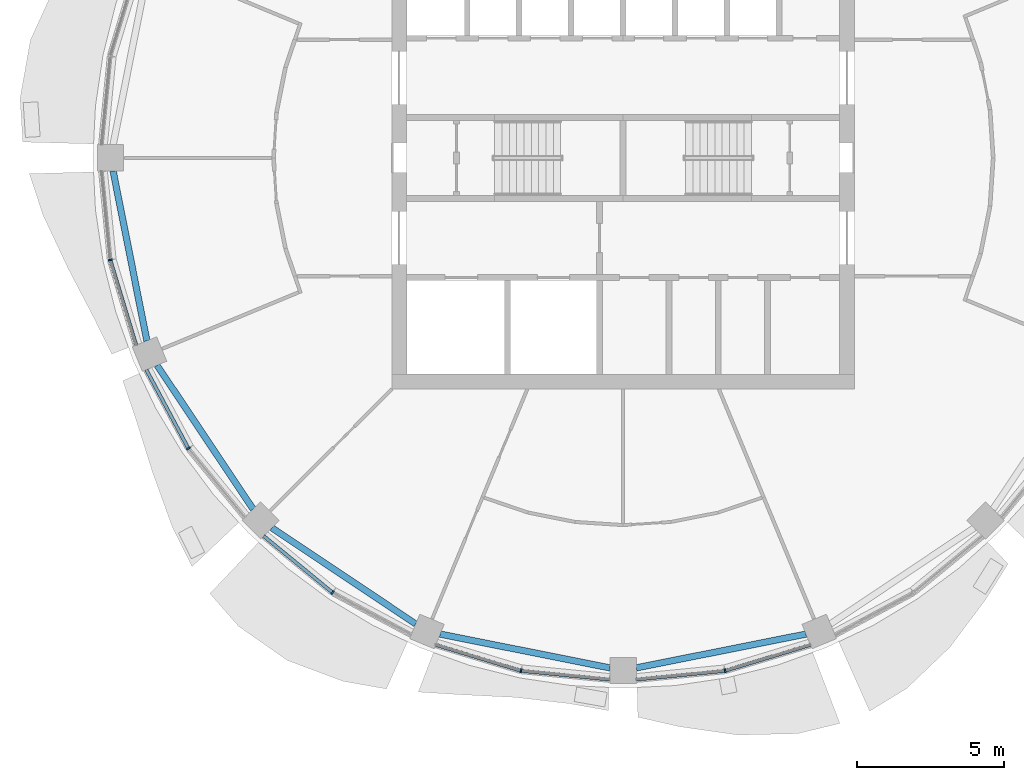
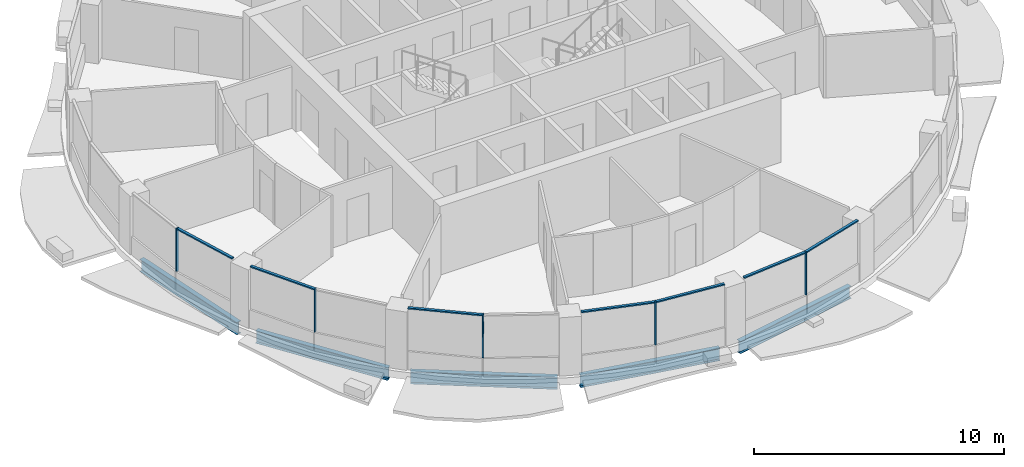
# One storey, part 2 of 15: 12 members, 5 beams, 5 elements without a shape of their own.
"""IFC4 building model written with IfcOpenShell, lengths in metres."""

from ifc_helpers import new_model, si_unit, direction, frame, origin, origin_2d, place, context, subcontext, project, spatial, rectangle, i_section, extrude, material, material_profile, profile_set, type_object, element, aggregate, save


model = new_model("IFC4")

# Units and contexts
model_context = context("Model", 3, precision=1e-05, world=origin(), true_north=direction((0.0, 1.0)))
body_context = subcontext(model_context, "Body", "Model", "MODEL_VIEW")
ifc_project = project(units=[si_unit("LENGTHUNIT", "METRE"), si_unit("AREAUNIT", "SQUARE_METRE"), si_unit("VOLUMEUNIT", "CUBIC_METRE"), si_unit("PLANEANGLEUNIT", "RADIAN"), si_unit("MASSUNIT", "GRAM", prefix="KILO")], contexts=[model_context])

# Site, building, storey
site_placement = place(None, origin())
site = spatial("IfcSite", under=ifc_project, at=site_placement, CompositionType="ELEMENT")
building_placement = place(site_placement, origin())
building = spatial("IfcBuilding", under=site, at=building_placement, Name="Polderwave Tower", CompositionType="ELEMENT")
storey_placement = place(building_placement, frame((0.0, 0.0, 191.0)))
storey = spatial("IfcBuildingStorey", under=building, at=storey_placement, Name="L51", CompositionType="ELEMENT", Elevation=191.0)

# Curtain wall, member
ifc_material_1 = material(Name="Aluminium 6063-T6 and glass", Category="aluminium")
curtain_wall_type = type_object("IfcCurtainWallType", Name="Office ribbon glazing wall", PredefinedType="NOTDEFINED", material=ifc_material_1)
curtain_wall_1_placement = place(storey_placement, origin())
curtain_wall_1 = element("IfcCurtainWall", 1, at=curtain_wall_1_placement, inside=storey, type_object=curtain_wall_type, Name="CW3 L51 08", PredefinedType="NOTDEFINED")
ifc_material_2 = material(Name="Aluminium 6063-T6", Category="aluminium")
ifc_material_profile_1 = material_profile(ifc_material_2, rectangle(XDim=0.139892578125, YDim=0.054931640625, at=origin_2d()), Name="AL 55x140")
ifc_profile_set_1 = profile_set([ifc_material_profile_1], Name="Aluminium 6063-T6")
member_type_1 = type_object("IfcMemberType", Name="Office ribbon glazing mullion 55x140", PredefinedType="MULLION", material=ifc_profile_set_1)
member_1_placement = place(storey_placement, frame((-17.4580078125, -3.472900390625, 0.89990234375), z_axis=(0.0, 0.0, 1.0), x_axis=(0.980762460409, 0.195205010829, 0.0)))
member_1 = element("IfcMember", 2, at=member_1_placement, type_object=member_type_1, Name="CW3 mullion 1", PredefinedType="MULLION", context=body_context, shape_type="SweptSolid", body=[
    extrude(rectangle(XDim=0.139892578125, YDim=0.054931640625, at=origin_2d()), origin(), (0.0, 0.0, 1.0), 2.10009765625),
])

curtain_wall_2_placement = place(storey_placement, origin())
curtain_wall_2 = element("IfcCurtainWall", 3, at=curtain_wall_2_placement, inside=storey, type_object=curtain_wall_type, Name="CW3 L51 09", PredefinedType="NOTDEFINED")
member_2_placement = place(storey_placement, frame((-14.800048828125, -9.888916015625, 0.89990234375), z_axis=(0.0, 0.0, 1.0), x_axis=(0.831419186923, 0.55564569252, 0.0)))
member_2 = element("IfcMember", 4, at=member_2_placement, type_object=member_type_1, Name="CW3 mullion 1", PredefinedType="MULLION", context=body_context, shape_type="SweptSolid", body=[
    extrude(rectangle(XDim=0.139892578125, YDim=0.054931640625, at=origin_2d()), origin(), (0.0, 0.0, 1.0), 2.10009765625),
])

curtain_wall_3_placement = place(storey_placement, origin())
curtain_wall_3 = element("IfcCurtainWall", 5, at=curtain_wall_3_placement, inside=storey, type_object=curtain_wall_type, Name="CW3 L51 10", PredefinedType="NOTDEFINED")
member_3_placement = place(storey_placement, frame((-9.888916015625, -14.800048828125, 0.89990234375), z_axis=(0.0, 0.0, 1.0), x_axis=(0.55564569252, 0.831419186923, 0.0)))
member_3 = element("IfcMember", 6, at=member_3_placement, type_object=member_type_1, Name="CW3 mullion 1", PredefinedType="MULLION", context=body_context, shape_type="SweptSolid", body=[
    extrude(rectangle(XDim=0.139892578125, YDim=0.054931640625, at=origin_2d()), origin(), (0.0, 0.0, 1.0), 2.10009765625),
])

curtain_wall_4_placement = place(storey_placement, origin())
curtain_wall_4 = element("IfcCurtainWall", 7, at=curtain_wall_4_placement, inside=storey, type_object=curtain_wall_type, Name="CW3 L51 11", PredefinedType="NOTDEFINED")
member_4_placement = place(storey_placement, frame((-3.472900390625, -17.4580078125, 0.89990234375), z_axis=(0.0, 0.0, 1.0), x_axis=(0.195205010829, 0.980762460409, 0.0)))
member_4 = element("IfcMember", 8, at=member_4_placement, type_object=member_type_1, Name="CW3 mullion 1", PredefinedType="MULLION", context=body_context, shape_type="SweptSolid", body=[
    extrude(rectangle(XDim=0.139892578125, YDim=0.054931640625, at=origin_2d()), origin(), (0.0, 0.0, 1.0), 2.10009765625),
])

curtain_wall_5_placement = place(storey_placement, origin())
curtain_wall_5 = element("IfcCurtainWall", 9, at=curtain_wall_5_placement, inside=storey, type_object=curtain_wall_type, Name="CW3 L51 12", PredefinedType="NOTDEFINED")
member_5_placement = place(storey_placement, frame((3.472900390625, -17.4580078125, 0.89990234375), z_axis=(0.0, 0.0, 1.0), x_axis=(-0.195205010829, 0.980762460409, 0.0)))
member_5 = element("IfcMember", 10, at=member_5_placement, type_object=member_type_1, Name="CW3 mullion 1", PredefinedType="MULLION", context=body_context, shape_type="SweptSolid", body=[
    extrude(rectangle(XDim=0.139892578125, YDim=0.054931640625, at=origin_2d()), origin(), (0.0, 0.0, 1.0), 2.10009765625),
])

# Member
ifc_material_profile_2 = material_profile(ifc_material_2, rectangle(XDim=0.1201171875, YDim=0.06005859375, at=origin_2d()), Name="AL 60x120")
ifc_profile_set_2 = profile_set([ifc_material_profile_2], Name="Aluminium 6063-T6")
member_type_2 = type_object("IfcMemberType", Name="Office ribbon glazing transom 60x120", PredefinedType="USERDEFINED", material=ifc_profile_set_2)
member_6_placement = place(storey_placement, frame((-17.449951171875, -3.499267578125, 2.969970703125), z_axis=(0.290435177237, -0.956894669137, 0.0), x_axis=(0.956894669137, 0.290435177237, 0.0)))
member_6 = element("IfcMember", 11, at=member_6_placement, type_object=member_type_2, Name="CW3 transom 2", ObjectType="TRANSOM", PredefinedType="USERDEFINED", context=body_context, shape_type="SweptSolid", body=[
    extrude(rectangle(XDim=0.1201171875, YDim=0.06005859375, at=origin_2d()), origin(), (0.0, 0.0, 1.0), 3.00927734375),
])

aggregate(curtain_wall_1, [member_1, member_6])

member_7_placement = place(storey_placement, frame((-16.23193359375, -7.2109375, 2.969970703125), z_axis=(0.471514347904, -0.881858389834, 0.0), x_axis=(0.881858389834, 0.471514347904, 0.0)))
member_7 = element("IfcMember", 12, at=member_7_placement, type_object=member_type_2, Name="CW3 transom 1", ObjectType="TRANSOM", PredefinedType="USERDEFINED", context=body_context, shape_type="SweptSolid", body=[
    extrude(rectangle(XDim=0.1201171875, YDim=0.06005859375, at=origin_2d()), origin(), (0.0, 0.0, 1.0), 3.00927734375),
])

aggregate(curtain_wall_2, [member_2, member_7])

member_8_placement = place(storey_placement, frame((-12.237060546875, -12.873046875, 2.969970703125), z_axis=(0.772973416151, -0.634438411451, 0.0), x_axis=(0.634438411451, 0.772973416151, 0.0)))
member_8 = element("IfcMember", 13, at=member_8_placement, type_object=member_type_2, Name="CW3 transom 1", ObjectType="TRANSOM", PredefinedType="USERDEFINED", context=body_context, shape_type="SweptSolid", body=[
    extrude(rectangle(XDim=0.1201171875, YDim=0.06005859375, at=origin_2d()), origin(), (0.0, 0.0, 1.0), 3.010009765625),
])

aggregate(curtain_wall_3, [member_3, member_8])

member_9_placement = place(storey_placement, frame((-6.37890625, -16.575927734375, 2.969970703125), z_axis=(0.956894669137, -0.290435177237, 0.0), x_axis=(0.290435177237, 0.956894669137, 0.0)))
member_9 = element("IfcMember", 14, at=member_9_placement, type_object=member_type_2, Name="CW3 transom 1", ObjectType="TRANSOM", PredefinedType="USERDEFINED", context=body_context, shape_type="SweptSolid", body=[
    extrude(rectangle(XDim=0.1201171875, YDim=0.06005859375, at=origin_2d()), origin(), (0.0, 0.0, 1.0), 3.00927734375),
])

member_10_placement = place(storey_placement, frame((-3.445556640625, -17.460693359375, 2.969970703125), z_axis=(0.995172769084, -0.098138471931, 0.0), x_axis=(0.098138471931, 0.995172769084, 0.0)))
member_10 = element("IfcMember", 15, at=member_10_placement, type_object=member_type_2, Name="CW3 transom 2", ObjectType="TRANSOM", PredefinedType="USERDEFINED", context=body_context, shape_type="SweptSolid", body=[
    extrude(rectangle(XDim=0.1201171875, YDim=0.06005859375, at=origin_2d()), origin(), (0.0, 0.0, 1.0), 3.01025390625),
])

aggregate(curtain_wall_4, [member_4, member_9, member_10])

member_11_placement = place(storey_placement, frame((0.449951171875, -17.756103515625, 2.969970703125), z_axis=(0.995172769084, 0.098138471931, 0.0), x_axis=(-0.098138471931, 0.995172769084, 0.0)))
member_11 = element("IfcMember", 16, at=member_11_placement, type_object=member_type_2, Name="CW3 transom 1", ObjectType="TRANSOM", PredefinedType="USERDEFINED", context=body_context, shape_type="SweptSolid", body=[
    extrude(rectangle(XDim=0.1201171875, YDim=0.06005859375, at=origin_2d()), origin(), (0.0, 0.0, 1.0), 3.01025390625),
])

member_12_placement = place(storey_placement, frame((3.499267578125, -17.449951171875, 2.969970703125), z_axis=(0.956894669137, 0.290435177237, 0.0), x_axis=(-0.290435177237, 0.956894669137, 0.0)))
member_12 = element("IfcMember", 17, at=member_12_placement, type_object=member_type_2, Name="CW3 transom 2", ObjectType="TRANSOM", PredefinedType="USERDEFINED", context=body_context, shape_type="SweptSolid", body=[
    extrude(rectangle(XDim=0.1201171875, YDim=0.06005859375, at=origin_2d()), origin(), (0.0, 0.0, 1.0), 3.00927734375),
])

aggregate(curtain_wall_5, [member_5, member_11, member_12])

# Beams
ifc_material_3 = material(Name="Steel S355", Category="steel")
ifc_material_profile_3 = material_profile(ifc_material_3, i_section(OverallWidth=0.219970703125, OverallDepth=0.60009765625, WebThickness=0.011962890625, FlangeThickness=0.01904296875, at=origin_2d()), Name="IPE 600")
ifc_profile_set_3 = profile_set([ifc_material_profile_3], Name="Steel S355")
beam_type = type_object("IfcBeamType", Name="RING BEAM IPE 600", PredefinedType="BEAM", material=ifc_profile_set_3)
beam_placement = place(storey_placement, frame((-17.360595703125, -0.449951171875, -0.64990234375), z_axis=(0.195111845788, -0.980780998813, 0.0), x_axis=(0.980780998813, 0.195111845788, 0.0)))
element("IfcBeam", 18, at=beam_placement, inside=storey, type_object=beam_type, Name="ST-RB-L51-08", PredefinedType="BEAM", context=body_context, shape_type="SweptSolid", body=[
    extrude(i_section(OverallWidth=0.219970703125, OverallDepth=0.60009765625, WebThickness=0.011962890625, FlangeThickness=0.01904296875, at=origin_2d()), origin(), (0.0, 0.0, 1.0), 5.89111328125),
])
for number, where, z_axis, x_axis, name in (
    (19, (-15.86669921875, -7.059326171875, -0.64990234375), (0.555551093196, -0.831482400805, 0.0), (0.831482400805, 0.555551093196, 0.0), "ST-RB-L51-09"),
    (20, (-11.95751953125, -12.593994140625, -0.64990234375), (0.831482400805, -0.555551093196, 0.0), (0.555551093196, 0.831482400805, 0.0), "ST-RB-L51-10"),
):
    element("IfcBeam", number, at=place(storey_placement, frame(where, z_axis=z_axis, x_axis=x_axis)), inside=storey, type_object=beam_type, Name=name, PredefinedType="BEAM", context=body_context, shape_type="SweptSolid", body=[
        extrude(i_section(OverallWidth=0.219970703125, OverallDepth=0.60009765625, WebThickness=0.011962890625, FlangeThickness=0.01904296875, at=origin_2d()), origin(), (0.0, 0.0, 1.0), 5.890869140625),
    ])
for number, where, z_axis, x_axis, name in (
    (21, (-6.227783203125, -16.211181640625, -0.64990234375), (0.980780998813, -0.195111845788, 0.0), (0.195111845788, 0.980780998813, 0.0), "ST-RB-L51-11"),
    (22, (0.449951171875, -17.360595703125, -0.64990234375), (0.980780998813, 0.195111845788, 0.0), (-0.195111845788, 0.980780998813, 0.0), "ST-RB-L51-12"),
):
    element("IfcBeam", number, at=place(storey_placement, frame(where, z_axis=z_axis, x_axis=x_axis)), inside=storey, type_object=beam_type, Name=name, PredefinedType="BEAM", context=body_context, shape_type="SweptSolid", body=[
        extrude(i_section(OverallWidth=0.219970703125, OverallDepth=0.60009765625, WebThickness=0.011962890625, FlangeThickness=0.01904296875, at=origin_2d()), origin(), (0.0, 0.0, 1.0), 5.89111328125),
    ])

save(model, "model.ifc")
